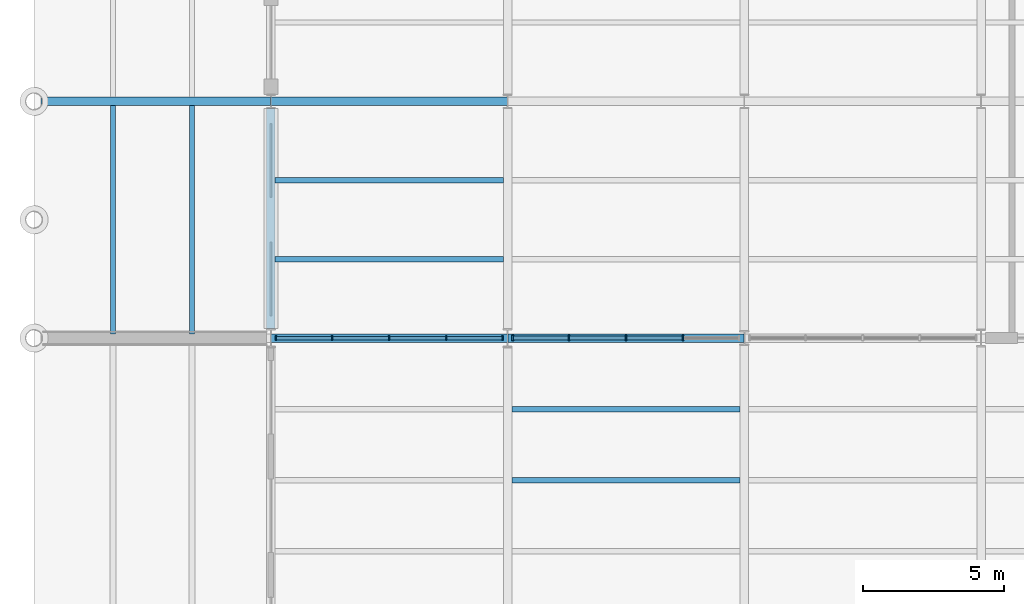
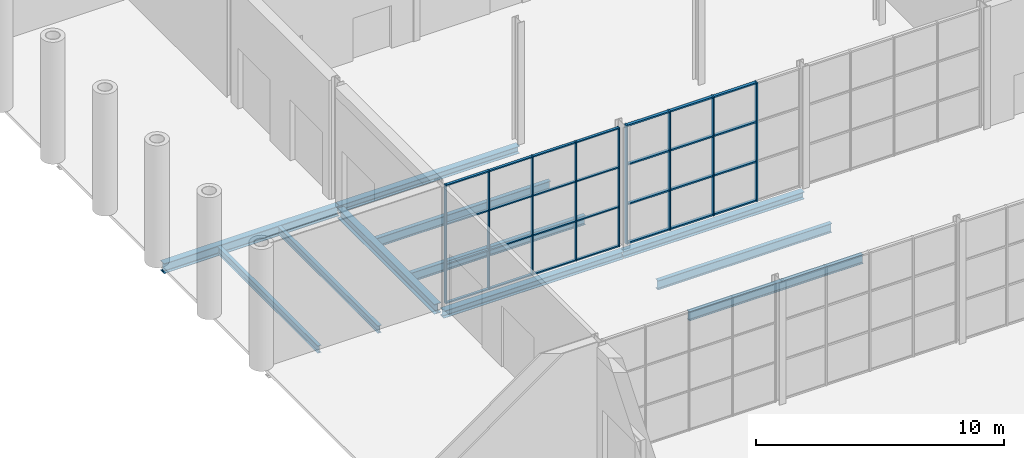
# One storey, part 15 of 55: 37 members, 11 beams, 2 elements without a shape of their own.
"""IFC4 building model written with IfcOpenShell, lengths in metres."""

from ifc_helpers import new_model, si_unit, direction, frame, origin, origin_2d, place, context, subcontext, project, spatial, rectangle, i_section, extrude, material, layer, layer_set, material_profile, profile_set, type_object, element, aggregate, save


model = new_model("IFC4")

# Units and contexts
model_context = context("Model", 3, precision=1e-05, world=origin(), true_north=direction((0.0, 1.0)))
body_context = subcontext(model_context, "Body", "Model", "MODEL_VIEW")
ifc_project = project(units=[si_unit("LENGTHUNIT", "METRE"), si_unit("AREAUNIT", "SQUARE_METRE"), si_unit("VOLUMEUNIT", "CUBIC_METRE"), si_unit("PLANEANGLEUNIT", "RADIAN"), si_unit("MASSUNIT", "GRAM", prefix="KILO")], contexts=[model_context])

# Site, building, storey
site_placement = place(None, origin())
site = spatial("IfcSite", under=ifc_project, at=site_placement, CompositionType="ELEMENT")
building_placement = place(site_placement, origin())
building = spatial("IfcBuilding", under=site, at=building_placement, Name="Galleria Vessillo Department Store", CompositionType="ELEMENT")
storey_placement = place(building_placement, origin())
storey = spatial("IfcBuildingStorey", under=building, at=storey_placement, Name="L00", CompositionType="ELEMENT", Elevation=0.0)

# Curtain wall, members
ifc_material_1 = material(Name="Aluminium and glass curtain wall", Category="aluminium")
ifc_layer_1 = layer(ifc_material_1, 0.159912109375)
ifc_layer_set_1 = layer_set([ifc_layer_1], Name="Aluminium and glass curtain wall")
curtain_wall_type_1 = type_object("IfcCurtainWallType", Name="Arcade portal glazing CW2 2100 module", PredefinedType="NOTDEFINED", material=ifc_layer_set_1)
curtain_wall_1_placement = place(storey_placement, origin())
curtain_wall_1 = element("IfcCurtainWall", 1, at=curtain_wall_1_placement, inside=storey, type_object=curtain_wall_type_1, Name="Arcade portal glazing CW2 2100 module PW-W-N-L00-01", PredefinedType="NOTDEFINED")
ifc_material_2 = material(Name="Aluminium alloy 6063 T6", Category="aluminium")
ifc_material_profile_1 = material_profile(ifc_material_2, rectangle(XDim=0.159912109375, YDim=0.050048828125, at=origin_2d()), Name="AL 50x160")
ifc_profile_set_1 = profile_set([ifc_material_profile_1], Name="Aluminium alloy 6063 T6")
member_type_1 = type_object("IfcMemberType", Name="Aluminium mullion 50 x 160", PredefinedType="MULLION", material=ifc_profile_set_1)
member_1_placement = place(storey_placement, frame((8.577392578125, 37.800048828125, 0.0), z_axis=(0.0, 0.0, 1.0), x_axis=(0.0, 1.0, 0.0)))
member_1 = element("IfcMember", 2, at=member_1_placement, type_object=member_type_1, Name="CW2 mullion 1", PredefinedType="MULLION", context=body_context, shape_type="SweptSolid", body=[
    extrude(rectangle(XDim=0.159912109375, YDim=0.050048828125, at=origin_2d()), origin(), (0.0, 0.0, 1.0), 5.85009765625),
])
member_2_placement = place(storey_placement, frame((10.576171875, 37.800048828125, 0.0), z_axis=(0.0, 0.0, 1.0), x_axis=(0.0, 1.0, 0.0)))
member_2 = element("IfcMember", 3, at=member_2_placement, type_object=member_type_1, Name="CW2 mullion 2", PredefinedType="MULLION", context=body_context, shape_type="SweptSolid", body=[
    extrude(rectangle(XDim=0.159912109375, YDim=0.050048828125, at=origin_2d()), origin(), (0.0, 0.0, 1.0), 5.85009765625),
])
member_3_placement = place(storey_placement, frame((12.60009765625, 37.800048828125, 0.0), z_axis=(0.0, 0.0, 1.0), x_axis=(0.0, 1.0, 0.0)))
member_3 = element("IfcMember", 4, at=member_3_placement, type_object=member_type_1, Name="CW2 mullion 3", PredefinedType="MULLION", context=body_context, shape_type="SweptSolid", body=[
    extrude(rectangle(XDim=0.159912109375, YDim=0.050048828125, at=origin_2d()), origin(), (0.0, 0.0, 1.0), 5.85009765625),
])
member_4_placement = place(storey_placement, frame((14.623779296875, 37.800048828125, 0.0), z_axis=(0.0, 0.0, 1.0), x_axis=(0.0, 1.0, 0.0)))
member_4 = element("IfcMember", 5, at=member_4_placement, type_object=member_type_1, Name="CW2 mullion 4", PredefinedType="MULLION", context=body_context, shape_type="SweptSolid", body=[
    extrude(rectangle(XDim=0.159912109375, YDim=0.050048828125, at=origin_2d()), origin(), (0.0, 0.0, 1.0), 5.85009765625),
])
member_5_placement = place(storey_placement, frame((16.62255859375, 37.800048828125, 0.0), z_axis=(0.0, 0.0, 1.0), x_axis=(0.0, 1.0, 0.0)))
member_5 = element("IfcMember", 6, at=member_5_placement, type_object=member_type_1, Name="CW2 mullion 5", PredefinedType="MULLION", context=body_context, shape_type="SweptSolid", body=[
    extrude(rectangle(XDim=0.159912109375, YDim=0.050048828125, at=origin_2d()), origin(), (0.0, 0.0, 1.0), 5.85009765625),
])

ifc_material_3 = material(Name="Aluminium and glass curtain wall", Category="aluminium")
ifc_layer_2 = layer(ifc_material_3, 0.199951171875)
ifc_layer_set_2 = layer_set([ifc_layer_2], Name="Aluminium and glass curtain wall")
curtain_wall_type_2 = type_object("IfcCurtainWallType", Name="Arcade curtain wall CW1 2100 module", PredefinedType="NOTDEFINED", material=ifc_layer_set_2)
curtain_wall_2_placement = place(storey_placement, origin())
curtain_wall_2 = element("IfcCurtainWall", 7, at=curtain_wall_2_placement, inside=storey, type_object=curtain_wall_type_2, Name="Arcade curtain wall CW1 2100 module AI-AW-N-L00-01", PredefinedType="NOTDEFINED")
ifc_material_4 = material(Name="Aluminium alloy 6063 T6", Category="aluminium")
ifc_material_profile_2 = material_profile(ifc_material_4, rectangle(XDim=0.199951171875, YDim=0.06005859375, at=origin_2d()), Name="AL 60x200")
ifc_profile_set_2 = profile_set([ifc_material_profile_2], Name="Aluminium alloy 6063 T6")
member_type_2 = type_object("IfcMemberType", Name="Aluminium mullion 60 x 200", PredefinedType="MULLION", material=ifc_profile_set_2)
member_6_placement = place(storey_placement, frame((16.982666015625, 37.800048828125, 0.0), z_axis=(0.0, 0.0, 1.0), x_axis=(0.0, 1.0, 0.0)))
member_6 = element("IfcMember", 8, at=member_6_placement, type_object=member_type_2, Name="CW1 mullion 1", PredefinedType="MULLION", context=body_context, shape_type="SweptSolid", body=[
    extrude(rectangle(XDim=0.199951171875, YDim=0.06005859375, at=origin_2d()), origin(), (0.0, 0.0, 1.0), 5.85009765625),
])
member_7_placement = place(storey_placement, frame((18.97607421875, 37.800048828125, 0.0), z_axis=(0.0, 0.0, 1.0), x_axis=(0.0, 1.0, 0.0)))
member_7 = element("IfcMember", 9, at=member_7_placement, type_object=member_type_2, Name="CW1 mullion 2", PredefinedType="MULLION", context=body_context, shape_type="SweptSolid", body=[
    extrude(rectangle(XDim=0.199951171875, YDim=0.06005859375, at=origin_2d()), origin(), (0.0, 0.0, 1.0), 5.85009765625),
])
member_8_placement = place(storey_placement, frame((20.999755859375, 37.800048828125, 0.0), z_axis=(0.0, 0.0, 1.0), x_axis=(0.0, 1.0, 0.0)))
member_8 = element("IfcMember", 10, at=member_8_placement, type_object=member_type_2, Name="CW1 mullion 3", PredefinedType="MULLION", context=body_context, shape_type="SweptSolid", body=[
    extrude(rectangle(XDim=0.199951171875, YDim=0.06005859375, at=origin_2d()), origin(), (0.0, 0.0, 1.0), 5.85009765625),
])
member_9_placement = place(storey_placement, frame((23.0234375, 37.800048828125, 0.0), z_axis=(0.0, 0.0, 1.0), x_axis=(0.0, 1.0, 0.0)))
member_9 = element("IfcMember", 11, at=member_9_placement, type_object=member_type_2, Name="CW1 mullion 4", PredefinedType="MULLION", context=body_context, shape_type="SweptSolid", body=[
    extrude(rectangle(XDim=0.199951171875, YDim=0.06005859375, at=origin_2d()), origin(), (0.0, 0.0, 1.0), 5.85009765625),
])

# Member
ifc_material_5 = material(Name="Aluminium alloy 6063 T6", Category="aluminium")
ifc_material_profile_3 = material_profile(ifc_material_5, rectangle(XDim=0.1201171875, YDim=0.06005859375, at=origin_2d()), Name="AL 60x120")
ifc_profile_set_3 = profile_set([ifc_material_profile_3], Name="Aluminium alloy 6063 T6")
member_type_3 = type_object("IfcMemberType", Name="Aluminium transom 60 x 120", PredefinedType="USERDEFINED", material=ifc_profile_set_3)
member_10_placement = place(storey_placement, frame((8.6025390625, 37.800048828125, 0.030029296875), z_axis=(1.0, 0.0, 0.0), x_axis=(0.0, 1.0, 0.0)))
member_10 = element("IfcMember", 12, at=member_10_placement, type_object=member_type_3, Name="CW2 transom 1.1", ObjectType="TRANSOM", PredefinedType="USERDEFINED", context=body_context, shape_type="SweptSolid", body=[
    extrude(rectangle(XDim=0.1201171875, YDim=0.06005859375, at=origin_2d()), origin(), (0.0, 0.0, 1.0), 1.94873046875),
])

member_11_placement = place(storey_placement, frame((8.6025390625, 37.800048828125, 1.949951171875), z_axis=(1.0, 0.0, 0.0), x_axis=(0.0, 1.0, 0.0)))
member_11 = element("IfcMember", 13, at=member_11_placement, type_object=member_type_3, Name="CW2 transom 1.2", ObjectType="TRANSOM", PredefinedType="USERDEFINED", context=body_context, shape_type="SweptSolid", body=[
    extrude(rectangle(XDim=0.1201171875, YDim=0.06005859375, at=origin_2d()), origin(), (0.0, 0.0, 1.0), 1.94873046875),
])

member_12_placement = place(storey_placement, frame((8.6025390625, 37.800048828125, 3.900146484375), z_axis=(1.0, 0.0, 0.0), x_axis=(0.0, 1.0, 0.0)))
member_12 = element("IfcMember", 14, at=member_12_placement, type_object=member_type_3, Name="CW2 transom 1.3", ObjectType="TRANSOM", PredefinedType="USERDEFINED", context=body_context, shape_type="SweptSolid", body=[
    extrude(rectangle(XDim=0.1201171875, YDim=0.06005859375, at=origin_2d()), origin(), (0.0, 0.0, 1.0), 1.94873046875),
])

member_13_placement = place(storey_placement, frame((8.6025390625, 37.800048828125, 5.820068359375), z_axis=(1.0, 0.0, 0.0), x_axis=(0.0, 1.0, 0.0)))
member_13 = element("IfcMember", 15, at=member_13_placement, type_object=member_type_3, Name="CW2 transom 1.4", ObjectType="TRANSOM", PredefinedType="USERDEFINED", context=body_context, shape_type="SweptSolid", body=[
    extrude(rectangle(XDim=0.1201171875, YDim=0.06005859375, at=origin_2d()), origin(), (0.0, 0.0, 1.0), 1.94873046875),
])

member_14_placement = place(storey_placement, frame((10.601318359375, 37.800048828125, 0.030029296875), z_axis=(1.0, 0.0, 0.0), x_axis=(0.0, 1.0, 0.0)))
member_14 = element("IfcMember", 16, at=member_14_placement, type_object=member_type_3, Name="CW2 transom 2.1", ObjectType="TRANSOM", PredefinedType="USERDEFINED", context=body_context, shape_type="SweptSolid", body=[
    extrude(rectangle(XDim=0.1201171875, YDim=0.06005859375, at=origin_2d()), origin(), (0.0, 0.0, 1.0), 1.9736328125),
])

member_15_placement = place(storey_placement, frame((10.601318359375, 37.800048828125, 1.949951171875), z_axis=(1.0, 0.0, 0.0), x_axis=(0.0, 1.0, 0.0)))
member_15 = element("IfcMember", 17, at=member_15_placement, type_object=member_type_3, Name="CW2 transom 2.2", ObjectType="TRANSOM", PredefinedType="USERDEFINED", context=body_context, shape_type="SweptSolid", body=[
    extrude(rectangle(XDim=0.1201171875, YDim=0.06005859375, at=origin_2d()), origin(), (0.0, 0.0, 1.0), 1.9736328125),
])

member_16_placement = place(storey_placement, frame((10.601318359375, 37.800048828125, 3.900146484375), z_axis=(1.0, 0.0, 0.0), x_axis=(0.0, 1.0, 0.0)))
member_16 = element("IfcMember", 18, at=member_16_placement, type_object=member_type_3, Name="CW2 transom 2.3", ObjectType="TRANSOM", PredefinedType="USERDEFINED", context=body_context, shape_type="SweptSolid", body=[
    extrude(rectangle(XDim=0.1201171875, YDim=0.06005859375, at=origin_2d()), origin(), (0.0, 0.0, 1.0), 1.9736328125),
])

member_17_placement = place(storey_placement, frame((10.601318359375, 37.800048828125, 5.820068359375), z_axis=(1.0, 0.0, 0.0), x_axis=(0.0, 1.0, 0.0)))
member_17 = element("IfcMember", 19, at=member_17_placement, type_object=member_type_3, Name="CW2 transom 2.4", ObjectType="TRANSOM", PredefinedType="USERDEFINED", context=body_context, shape_type="SweptSolid", body=[
    extrude(rectangle(XDim=0.1201171875, YDim=0.06005859375, at=origin_2d()), origin(), (0.0, 0.0, 1.0), 1.9736328125),
])

member_18_placement = place(storey_placement, frame((12.625, 37.800048828125, 0.030029296875), z_axis=(1.0, 0.0, 0.0), x_axis=(0.0, 1.0, 0.0)))
member_18 = element("IfcMember", 20, at=member_18_placement, type_object=member_type_3, Name="CW2 transom 3.1", ObjectType="TRANSOM", PredefinedType="USERDEFINED", context=body_context, shape_type="SweptSolid", body=[
    extrude(rectangle(XDim=0.1201171875, YDim=0.06005859375, at=origin_2d()), origin(), (0.0, 0.0, 1.0), 1.9736328125),
])

member_19_placement = place(storey_placement, frame((12.625, 37.800048828125, 1.949951171875), z_axis=(1.0, 0.0, 0.0), x_axis=(0.0, 1.0, 0.0)))
member_19 = element("IfcMember", 21, at=member_19_placement, type_object=member_type_3, Name="CW2 transom 3.2", ObjectType="TRANSOM", PredefinedType="USERDEFINED", context=body_context, shape_type="SweptSolid", body=[
    extrude(rectangle(XDim=0.1201171875, YDim=0.06005859375, at=origin_2d()), origin(), (0.0, 0.0, 1.0), 1.9736328125),
])

member_20_placement = place(storey_placement, frame((12.625, 37.800048828125, 3.900146484375), z_axis=(1.0, 0.0, 0.0), x_axis=(0.0, 1.0, 0.0)))
member_20 = element("IfcMember", 22, at=member_20_placement, type_object=member_type_3, Name="CW2 transom 3.3", ObjectType="TRANSOM", PredefinedType="USERDEFINED", context=body_context, shape_type="SweptSolid", body=[
    extrude(rectangle(XDim=0.1201171875, YDim=0.06005859375, at=origin_2d()), origin(), (0.0, 0.0, 1.0), 1.9736328125),
])

member_21_placement = place(storey_placement, frame((12.625, 37.800048828125, 5.820068359375), z_axis=(1.0, 0.0, 0.0), x_axis=(0.0, 1.0, 0.0)))
member_21 = element("IfcMember", 23, at=member_21_placement, type_object=member_type_3, Name="CW2 transom 3.4", ObjectType="TRANSOM", PredefinedType="USERDEFINED", context=body_context, shape_type="SweptSolid", body=[
    extrude(rectangle(XDim=0.1201171875, YDim=0.06005859375, at=origin_2d()), origin(), (0.0, 0.0, 1.0), 1.9736328125),
])

member_22_placement = place(storey_placement, frame((14.648681640625, 37.800048828125, 0.030029296875), z_axis=(1.0, 0.0, 0.0), x_axis=(0.0, 1.0, 0.0)))
member_22 = element("IfcMember", 24, at=member_22_placement, type_object=member_type_3, Name="CW2 transom 4.1", ObjectType="TRANSOM", PredefinedType="USERDEFINED", context=body_context, shape_type="SweptSolid", body=[
    extrude(rectangle(XDim=0.1201171875, YDim=0.06005859375, at=origin_2d()), origin(), (0.0, 0.0, 1.0), 1.94873046875),
])

member_23_placement = place(storey_placement, frame((14.648681640625, 37.800048828125, 1.949951171875), z_axis=(1.0, 0.0, 0.0), x_axis=(0.0, 1.0, 0.0)))
member_23 = element("IfcMember", 25, at=member_23_placement, type_object=member_type_3, Name="CW2 transom 4.2", ObjectType="TRANSOM", PredefinedType="USERDEFINED", context=body_context, shape_type="SweptSolid", body=[
    extrude(rectangle(XDim=0.1201171875, YDim=0.06005859375, at=origin_2d()), origin(), (0.0, 0.0, 1.0), 1.94873046875),
])

member_24_placement = place(storey_placement, frame((14.648681640625, 37.800048828125, 3.900146484375), z_axis=(1.0, 0.0, 0.0), x_axis=(0.0, 1.0, 0.0)))
member_24 = element("IfcMember", 26, at=member_24_placement, type_object=member_type_3, Name="CW2 transom 4.3", ObjectType="TRANSOM", PredefinedType="USERDEFINED", context=body_context, shape_type="SweptSolid", body=[
    extrude(rectangle(XDim=0.1201171875, YDim=0.06005859375, at=origin_2d()), origin(), (0.0, 0.0, 1.0), 1.94873046875),
])

member_25_placement = place(storey_placement, frame((14.648681640625, 37.800048828125, 5.820068359375), z_axis=(1.0, 0.0, 0.0), x_axis=(0.0, 1.0, 0.0)))
member_25 = element("IfcMember", 27, at=member_25_placement, type_object=member_type_3, Name="CW2 transom 4.4", ObjectType="TRANSOM", PredefinedType="USERDEFINED", context=body_context, shape_type="SweptSolid", body=[
    extrude(rectangle(XDim=0.1201171875, YDim=0.06005859375, at=origin_2d()), origin(), (0.0, 0.0, 1.0), 1.94873046875),
])

aggregate(curtain_wall_1, [member_1, member_2, member_3, member_4, member_5, member_10, member_11, member_12, member_13, member_14, member_15, member_16, member_17, member_18, member_19, member_20, member_21, member_22, member_23, member_24, member_25])

ifc_material_6 = material(Name="Aluminium alloy 6063 T6", Category="aluminium")
ifc_material_profile_4 = material_profile(ifc_material_6, rectangle(XDim=0.139892578125, YDim=0.070068359375, at=origin_2d()), Name="AL 70x140")
ifc_profile_set_4 = profile_set([ifc_material_profile_4], Name="Aluminium alloy 6063 T6")
member_type_4 = type_object("IfcMemberType", Name="Aluminium transom 70 x 140", PredefinedType="USERDEFINED", material=ifc_profile_set_4)
member_26_placement = place(storey_placement, frame((17.0126953125, 37.800048828125, 0.034912109375), z_axis=(1.0, 0.0, 0.0), x_axis=(0.0, 1.0, 0.0)))
member_26 = element("IfcMember", 28, at=member_26_placement, type_object=member_type_4, Name="CW1 transom 1.1", ObjectType="TRANSOM", PredefinedType="USERDEFINED", context=body_context, shape_type="SweptSolid", body=[
    extrude(rectangle(XDim=0.139892578125, YDim=0.070068359375, at=origin_2d()), origin(), (0.0, 0.0, 1.0), 1.93359375),
])

member_27_placement = place(storey_placement, frame((17.0126953125, 37.800048828125, 1.949951171875), z_axis=(1.0, 0.0, 0.0), x_axis=(0.0, 1.0, 0.0)))
member_27 = element("IfcMember", 29, at=member_27_placement, type_object=member_type_4, Name="CW1 transom 1.2", ObjectType="TRANSOM", PredefinedType="USERDEFINED", context=body_context, shape_type="SweptSolid", body=[
    extrude(rectangle(XDim=0.139892578125, YDim=0.070068359375, at=origin_2d()), origin(), (0.0, 0.0, 1.0), 1.93359375),
])

member_28_placement = place(storey_placement, frame((17.0126953125, 37.800048828125, 3.900146484375), z_axis=(1.0, 0.0, 0.0), x_axis=(0.0, 1.0, 0.0)))
member_28 = element("IfcMember", 30, at=member_28_placement, type_object=member_type_4, Name="CW1 transom 1.3", ObjectType="TRANSOM", PredefinedType="USERDEFINED", context=body_context, shape_type="SweptSolid", body=[
    extrude(rectangle(XDim=0.139892578125, YDim=0.070068359375, at=origin_2d()), origin(), (0.0, 0.0, 1.0), 1.93359375),
])

member_29_placement = place(storey_placement, frame((17.0126953125, 37.800048828125, 5.815185546875), z_axis=(1.0, 0.0, 0.0), x_axis=(0.0, 1.0, 0.0)))
member_29 = element("IfcMember", 31, at=member_29_placement, type_object=member_type_4, Name="CW1 transom 1.4", ObjectType="TRANSOM", PredefinedType="USERDEFINED", context=body_context, shape_type="SweptSolid", body=[
    extrude(rectangle(XDim=0.139892578125, YDim=0.070068359375, at=origin_2d()), origin(), (0.0, 0.0, 1.0), 1.93359375),
])

member_30_placement = place(storey_placement, frame((19.006103515625, 37.800048828125, 0.034912109375), z_axis=(1.0, 0.0, 0.0), x_axis=(0.0, 1.0, 0.0)))
member_30 = element("IfcMember", 32, at=member_30_placement, type_object=member_type_4, Name="CW1 transom 2.1", ObjectType="TRANSOM", PredefinedType="USERDEFINED", context=body_context, shape_type="SweptSolid", body=[
    extrude(rectangle(XDim=0.139892578125, YDim=0.070068359375, at=origin_2d()), origin(), (0.0, 0.0, 1.0), 1.963623046875),
])

member_31_placement = place(storey_placement, frame((19.006103515625, 37.800048828125, 1.949951171875), z_axis=(1.0, 0.0, 0.0), x_axis=(0.0, 1.0, 0.0)))
member_31 = element("IfcMember", 33, at=member_31_placement, type_object=member_type_4, Name="CW1 transom 2.2", ObjectType="TRANSOM", PredefinedType="USERDEFINED", context=body_context, shape_type="SweptSolid", body=[
    extrude(rectangle(XDim=0.139892578125, YDim=0.070068359375, at=origin_2d()), origin(), (0.0, 0.0, 1.0), 1.963623046875),
])

member_32_placement = place(storey_placement, frame((19.006103515625, 37.800048828125, 3.900146484375), z_axis=(1.0, 0.0, 0.0), x_axis=(0.0, 1.0, 0.0)))
member_32 = element("IfcMember", 34, at=member_32_placement, type_object=member_type_4, Name="CW1 transom 2.3", ObjectType="TRANSOM", PredefinedType="USERDEFINED", context=body_context, shape_type="SweptSolid", body=[
    extrude(rectangle(XDim=0.139892578125, YDim=0.070068359375, at=origin_2d()), origin(), (0.0, 0.0, 1.0), 1.963623046875),
])

member_33_placement = place(storey_placement, frame((19.006103515625, 37.800048828125, 5.815185546875), z_axis=(1.0, 0.0, 0.0), x_axis=(0.0, 1.0, 0.0)))
member_33 = element("IfcMember", 35, at=member_33_placement, type_object=member_type_4, Name="CW1 transom 2.4", ObjectType="TRANSOM", PredefinedType="USERDEFINED", context=body_context, shape_type="SweptSolid", body=[
    extrude(rectangle(XDim=0.139892578125, YDim=0.070068359375, at=origin_2d()), origin(), (0.0, 0.0, 1.0), 1.963623046875),
])

member_34_placement = place(storey_placement, frame((21.02978515625, 37.800048828125, 0.034912109375), z_axis=(1.0, 0.0, 0.0), x_axis=(0.0, 1.0, 0.0)))
member_34 = element("IfcMember", 36, at=member_34_placement, type_object=member_type_4, Name="CW1 transom 3.1", ObjectType="TRANSOM", PredefinedType="USERDEFINED", context=body_context, shape_type="SweptSolid", body=[
    extrude(rectangle(XDim=0.139892578125, YDim=0.070068359375, at=origin_2d()), origin(), (0.0, 0.0, 1.0), 1.963623046875),
])

member_35_placement = place(storey_placement, frame((21.02978515625, 37.800048828125, 1.949951171875), z_axis=(1.0, 0.0, 0.0), x_axis=(0.0, 1.0, 0.0)))
member_35 = element("IfcMember", 37, at=member_35_placement, type_object=member_type_4, Name="CW1 transom 3.2", ObjectType="TRANSOM", PredefinedType="USERDEFINED", context=body_context, shape_type="SweptSolid", body=[
    extrude(rectangle(XDim=0.139892578125, YDim=0.070068359375, at=origin_2d()), origin(), (0.0, 0.0, 1.0), 1.963623046875),
])

member_36_placement = place(storey_placement, frame((21.02978515625, 37.800048828125, 3.900146484375), z_axis=(1.0, 0.0, 0.0), x_axis=(0.0, 1.0, 0.0)))
member_36 = element("IfcMember", 38, at=member_36_placement, type_object=member_type_4, Name="CW1 transom 3.3", ObjectType="TRANSOM", PredefinedType="USERDEFINED", context=body_context, shape_type="SweptSolid", body=[
    extrude(rectangle(XDim=0.139892578125, YDim=0.070068359375, at=origin_2d()), origin(), (0.0, 0.0, 1.0), 1.963623046875),
])

member_37_placement = place(storey_placement, frame((21.02978515625, 37.800048828125, 5.815185546875), z_axis=(1.0, 0.0, 0.0), x_axis=(0.0, 1.0, 0.0)))
member_37 = element("IfcMember", 39, at=member_37_placement, type_object=member_type_4, Name="CW1 transom 3.4", ObjectType="TRANSOM", PredefinedType="USERDEFINED", context=body_context, shape_type="SweptSolid", body=[
    extrude(rectangle(XDim=0.139892578125, YDim=0.070068359375, at=origin_2d()), origin(), (0.0, 0.0, 1.0), 1.963623046875),
])

aggregate(curtain_wall_2, [member_6, member_7, member_8, member_9, member_26, member_27, member_28, member_29, member_30, member_31, member_32, member_33, member_34, member_35, member_36, member_37])

# Beams
ifc_material_7 = material(Name="Steel S355 J2", Category="steel")
ifc_material_profile_5 = material_profile(ifc_material_7, i_section(OverallWidth=0.300048828125, OverallDepth=0.489990234375, WebThickness=0.011962890625, FlangeThickness=0.02294921875, FilletRadius=0.027099609375, at=origin_2d()), Name="HEA 500")
ifc_profile_set_5 = profile_set([ifc_material_profile_5], Name="Steel S355 J2")
beam_type_1 = type_object("IfcBeamType", Name="Floor girder HEA 500", PredefinedType="BEAM", material=ifc_profile_set_5)
beam_1_placement = place(storey_placement, frame((0.250244140625, 46.199951171875, -0.39501953125), z_axis=(1.0, 0.0, 0.0), x_axis=(0.0, 1.0, 0.0)))
element("IfcBeam", 40, at=beam_1_placement, inside=storey, type_object=beam_type_1, Name="S-BM-L00-GI-x46200-250", PredefinedType="BEAM", context=body_context, shape_type="SweptSolid", body=[
    extrude(i_section(OverallWidth=0.300048828125, OverallDepth=0.489990234375, WebThickness=0.011962890625, FlangeThickness=0.02294921875, FilletRadius=0.027099609375, at=origin_2d()), origin(), (0.0, 0.0, 1.0), 8.142333984375),
])
beam_2_placement = place(storey_placement, frame((8.39990234375, 38.134033203125, -0.39501953125), z_axis=(0.0, 1.0, 0.0), x_axis=(-1.0, 0.0, 0.0)))
element("IfcBeam", 41, at=beam_2_placement, inside=storey, type_object=beam_type_1, Name="S-BM-L00-GI-y8400-38134", PredefinedType="BEAM", context=body_context, shape_type="SweptSolid", body=[
    extrude(i_section(OverallWidth=0.300048828125, OverallDepth=0.489990234375, WebThickness=0.011962890625, FlangeThickness=0.02294921875, FilletRadius=0.027099609375, at=origin_2d()), origin(), (0.0, 0.0, 1.0), 7.81591796875),
])
ifc_material_8 = material(Name="Steel S355 J2", Category="steel")
ifc_material_profile_6 = material_profile(ifc_material_8, i_section(OverallWidth=0.169921875, OverallDepth=0.360107421875, WebThickness=0.008056640625, FlangeThickness=0.0126953125, FilletRadius=0.01806640625, at=origin_2d()), Name="IPE 360")
ifc_profile_set_6 = profile_set([ifc_material_profile_6], Name="Steel S355 J2")
beam_type_2 = type_object("IfcBeamType", Name="Floor joist IPE 360", PredefinedType="JOIST", material=ifc_profile_set_6)
for number, where, z_axis, x_axis, name in (
    (42, (2.800048828125, 37.9501953125, -0.329833984375), (0.0, 1.0, 0.0), (-1.0, 0.0, 0.0), "S-BM-L00-JO-y2800-37950"),
    (43, (5.60009765625, 37.9501953125, -0.329833984375), (0.0, 1.0, 0.0), (-1.0, 0.0, 0.0), "S-BM-L00-JO-y5600-37950"),
):
    element("IfcBeam", number, at=place(storey_placement, frame(where, z_axis=z_axis, x_axis=x_axis)), inside=storey, type_object=beam_type_2, Name=name, PredefinedType="JOIST", context=body_context, shape_type="SweptSolid", body=[
        extrude(i_section(OverallWidth=0.169921875, OverallDepth=0.360107421875, WebThickness=0.008056640625, FlangeThickness=0.0126953125, FilletRadius=0.01806640625, at=origin_2d()), origin(), (0.0, 0.0, 1.0), 8.099609375),
    ])
ifc_material_9 = material(Name="Steel S355 J2", Category="steel")
ifc_material_profile_7 = material_profile(ifc_material_9, i_section(OverallWidth=0.18994140625, OverallDepth=0.449951171875, WebThickness=0.009521484375, FlangeThickness=0.0146484375, FilletRadius=0.02099609375, at=origin_2d()), Name="IPE 450")
ifc_profile_set_7 = profile_set([ifc_material_profile_7], Name="Steel S355 J2")
beam_type_3 = type_object("IfcBeamType", Name="Floor joist IPE 450", PredefinedType="JOIST", material=ifc_profile_set_7)
for number, where, z_axis, x_axis, name in (
    (44, (8.550048828125, 40.60009765625, -0.375), (1.0, 0.0, 0.0), (0.0, 1.0, 0.0), "S-BM-L00-JO-x40600-8550"),
    (45, (8.550048828125, 43.39990234375, -0.375), (1.0, 0.0, 0.0), (0.0, 1.0, 0.0), "S-BM-L00-JO-x43400-8550"),
):
    element("IfcBeam", number, at=place(storey_placement, frame(where, z_axis=z_axis, x_axis=x_axis)), inside=storey, type_object=beam_type_3, Name=name, PredefinedType="JOIST", context=body_context, shape_type="SweptSolid", body=[
        extrude(i_section(OverallWidth=0.18994140625, OverallDepth=0.449951171875, WebThickness=0.009521484375, FlangeThickness=0.0146484375, FilletRadius=0.02099609375, at=origin_2d()), origin(), (0.0, 0.0, 1.0), 8.099853515625),
    ])
for number, where, z_axis, x_axis, name in (
    (46, (16.9501953125, 32.760009765625, -0.47509765625), (1.0, 0.0, 0.0), (0.0, 1.0, 0.0), "S-BM-L00-JO-x32760-16950"),
    (47, (16.9501953125, 35.280029296875, -0.47509765625), (1.0, 0.0, 0.0), (0.0, 1.0, 0.0), "S-BM-L00-JO-x35280-16950"),
):
    element("IfcBeam", number, at=place(storey_placement, frame(where, z_axis=z_axis, x_axis=x_axis)), inside=storey, type_object=beam_type_3, Name=name, PredefinedType="JOIST", context=body_context, shape_type="SweptSolid", body=[
        extrude(i_section(OverallWidth=0.18994140625, OverallDepth=0.449951171875, WebThickness=0.009521484375, FlangeThickness=0.0146484375, FilletRadius=0.02099609375, at=origin_2d()), origin(), (0.0, 0.0, 1.0), 8.099609375),
    ])
ifc_material_10 = material(Name="Steel S355 J2", Category="steel")
ifc_material_profile_8 = material_profile(ifc_material_10, i_section(OverallWidth=0.300048828125, OverallDepth=0.35009765625, WebThickness=0.010009765625, FlangeThickness=0.017578125, FilletRadius=0.027099609375, at=origin_2d()), Name="HEA 360")
ifc_profile_set_8 = profile_set([ifc_material_profile_8], Name="Steel S355 J2")
beam_type_4 = type_object("IfcBeamType", Name="Floor tie girder HEA 360", PredefinedType="BEAM", material=ifc_profile_set_8)
beam_3_placement = place(storey_placement, frame((8.41064453125, 37.800048828125, -0.425048828125), z_axis=(1.0, 0.0, 0.0), x_axis=(0.0, 1.0, 0.0)))
element("IfcBeam", 48, at=beam_3_placement, inside=storey, type_object=beam_type_4, Name="S-BM-L00-TI-x37800-8411", PredefinedType="BEAM", context=body_context, shape_type="SweptSolid", body=[
    extrude(i_section(OverallWidth=0.300048828125, OverallDepth=0.35009765625, WebThickness=0.010009765625, FlangeThickness=0.017578125, FilletRadius=0.027099609375, at=origin_2d()), origin(), (0.0, 0.0, 1.0), 8.378662109375),
])
beam_4_placement = place(storey_placement, frame((16.810546875, 37.800048828125, -0.425048828125), z_axis=(1.0, 0.0, 0.0), x_axis=(0.0, 1.0, 0.0)))
element("IfcBeam", 49, at=beam_4_placement, inside=storey, type_object=beam_type_4, Name="S-BM-L00-TI-x37800-16811", PredefinedType="BEAM", context=body_context, shape_type="SweptSolid", body=[
    extrude(i_section(OverallWidth=0.300048828125, OverallDepth=0.35009765625, WebThickness=0.010009765625, FlangeThickness=0.017578125, FilletRadius=0.027099609375, at=origin_2d()), origin(), (0.0, 0.0, 1.0), 8.37890625),
])
beam_5_placement = place(storey_placement, frame((8.407470703125, 46.199951171875, -0.324951171875), z_axis=(1.0, 0.0, 0.0), x_axis=(0.0, 1.0, 0.0)))
element("IfcBeam", 50, at=beam_5_placement, inside=storey, type_object=beam_type_4, Name="S-BM-L00-TI-x46200-8407", PredefinedType="BEAM", context=body_context, shape_type="SweptSolid", body=[
    extrude(i_section(OverallWidth=0.300048828125, OverallDepth=0.35009765625, WebThickness=0.010009765625, FlangeThickness=0.017578125, FilletRadius=0.027099609375, at=origin_2d()), origin(), (0.0, 0.0, 1.0), 8.38525390625),
])

save(model, "model.ifc")
